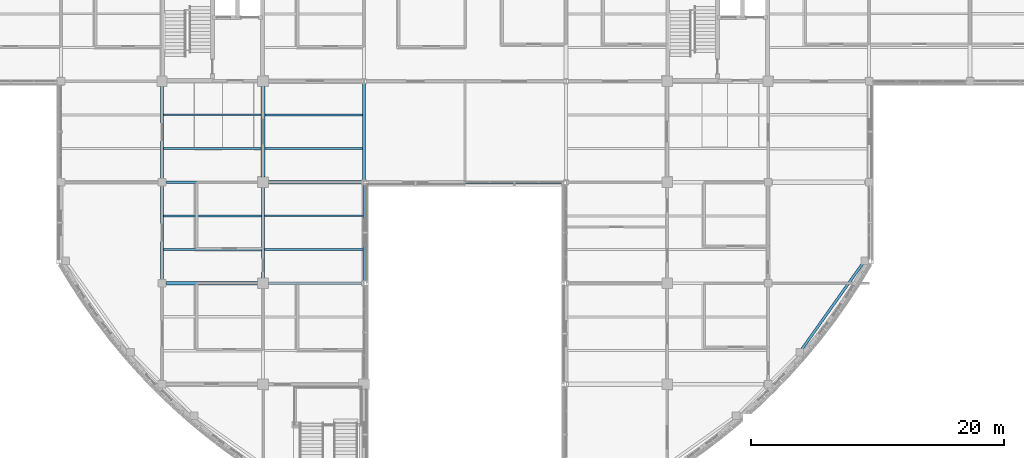
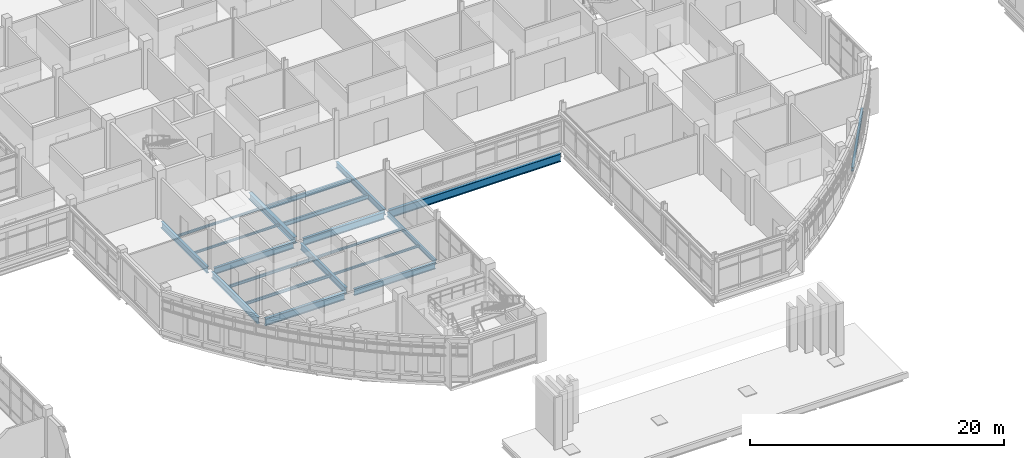
# One storey, part 25 of 121: 20 beams.
"""IFC4 building model written with IfcOpenShell, lengths in metres."""

from ifc_helpers import new_model, si_unit, derived_unit, direction, frame, origin, origin_2d, place, context, subcontext, project, spatial, i_section, extrude, material, material_profile, profile_set, type_object, element, save


model = new_model("IFC4")

# Units and contexts
model_context = context("Model", 3, precision=1e-05, world=origin(), true_north=direction((0.0, 1.0)))
body_context = subcontext(model_context, "Body", "Model", "MODEL_VIEW")
ifc_project = project(units=[si_unit("LENGTHUNIT", "METRE"), si_unit("AREAUNIT", "SQUARE_METRE"), si_unit("VOLUMEUNIT", "CUBIC_METRE"), si_unit("PLANEANGLEUNIT", "RADIAN"), si_unit("MASSUNIT", "GRAM", prefix="KILO"), derived_unit("THERMALTRANSMITTANCEUNIT", [(si_unit("MASSUNIT", "GRAM", prefix="KILO"), 1), (si_unit("TIMEUNIT", "SECOND"), -3), (si_unit("THERMODYNAMICTEMPERATUREUNIT", "KELVIN"), -1)])], contexts=[model_context])

# Site, building, storey
site_placement = place(None, origin())
site = spatial("IfcSite", under=ifc_project, at=site_placement, CompositionType="ELEMENT")
building_placement = place(site_placement, origin())
building = spatial("IfcBuilding", under=site, at=building_placement, Name="Veyamyaing Civic Hall", CompositionType="ELEMENT")
storey_placement = place(building_placement, frame((0.0, 0.0, 5.280029296875)))
storey = spatial("IfcBuildingStorey", under=building, at=storey_placement, Name="L01", CompositionType="ELEMENT", Elevation=5.280029296875)

# Beams
ifc_material = material(Name="Steel ASTM A992", Category="steel")
ifc_material_profile_1 = material_profile(ifc_material, i_section(OverallWidth=0.256103515625, OverallDepth=0.693115234375, WebThickness=0.014404296875, FlangeThickness=0.023681640625, FilletRadius=0.013916015625, at=origin_2d()), Name="W690X170")
ifc_profile_set_1 = profile_set([ifc_material_profile_1], Name="Steel ASTM A992")
beam_type_1 = type_object("IfcBeamType", Name="B-04", PredefinedType="BEAM", material=ifc_profile_set_1)
beam_1_placement = place(storey_placement, frame((64.35009765625, 32.0, -0.591552734375), z_axis=(1.0, 0.0, 0.0), x_axis=(0.0, 1.0, 0.0)))
element("IfcBeam", 1, at=beam_1_placement, inside=storey, type_object=beam_type_1, Name="Girder B-04 L01 Grid E 9-10", PredefinedType="BEAM", context=body_context, shape_type="SweptSolid", body=[
    extrude(i_section(OverallWidth=0.256103515625, OverallDepth=0.693115234375, WebThickness=0.014404296875, FlangeThickness=0.023681640625, FilletRadius=0.013916015625, at=origin_2d()), origin(), (0.0, 0.0, 1.0), 7.224853515625),
])
ifc_material_profile_2 = material_profile(ifc_material, i_section(OverallWidth=0.22998046875, OverallDepth=0.616943359375, WebThickness=0.01318359375, FlangeThickness=0.022216796875, FilletRadius=0.012939453125, at=origin_2d()), Name="W610X140")
ifc_profile_set_2 = profile_set([ifc_material_profile_2], Name="Steel ASTM A992")
beam_type_2 = type_object("IfcBeamType", Name="B-05", PredefinedType="BEAM", material=ifc_profile_set_2)
beam_2_placement = place(storey_placement, frame((72.425048828125, 32.0, -0.553466796875), z_axis=(1.0, 0.0, 0.0), x_axis=(0.0, 1.0, 0.0)))
element("IfcBeam", 2, at=beam_2_placement, inside=storey, type_object=beam_type_2, Name="Girder B-05 L01 Grid E 10-11", PredefinedType="BEAM", context=body_context, shape_type="SweptSolid", body=[
    extrude(i_section(OverallWidth=0.22998046875, OverallDepth=0.616943359375, WebThickness=0.01318359375, FlangeThickness=0.022216796875, FilletRadius=0.012939453125, at=origin_2d()), origin(), (0.0, 0.0, 1.0), 7.3759765625),
])
beam_3_placement = place(storey_placement, frame((64.35009765625, 40.0, -0.553466796875), z_axis=(1.0, 0.0, 0.0), x_axis=(0.0, 1.0, 0.0)))
element("IfcBeam", 3, at=beam_3_placement, inside=storey, type_object=beam_type_2, Name="Girder B-05 L01 Grid F 9-10", PredefinedType="BEAM", context=body_context, shape_type="SweptSolid", body=[
    extrude(i_section(OverallWidth=0.22998046875, OverallDepth=0.616943359375, WebThickness=0.01318359375, FlangeThickness=0.022216796875, FilletRadius=0.012939453125, at=origin_2d()), origin(), (0.0, 0.0, 1.0), 7.224853515625),
])
beam_4_placement = place(storey_placement, frame((64.0, 32.35009765625, -0.553466796875), z_axis=(0.0, 1.0, 0.0), x_axis=(-1.0, 0.0, 0.0)))
element("IfcBeam", 4, at=beam_4_placement, inside=storey, type_object=beam_type_2, Name="Girder B-05 L01 Grid 9 E-F", PredefinedType="BEAM", context=body_context, shape_type="SweptSolid", body=[
    extrude(i_section(OverallWidth=0.22998046875, OverallDepth=0.616943359375, WebThickness=0.01318359375, FlangeThickness=0.022216796875, FilletRadius=0.012939453125, at=origin_2d()), origin(), (0.0, 0.0, 1.0), 7.2998046875),
])
ifc_material_profile_3 = material_profile(ifc_material, i_section(OverallWidth=0.22802734375, OverallDepth=0.60791015625, WebThickness=0.01123046875, FlangeThickness=0.017333984375, FilletRadius=0.012939453125, at=origin_2d()), Name="W610X113")
ifc_profile_set_3 = profile_set([ifc_material_profile_3], Name="Steel ASTM A992")
beam_type_3 = type_object("IfcBeamType", Name="B-06", PredefinedType="BEAM", material=ifc_profile_set_3)
beam_5_placement = place(storey_placement, frame((64.0, 40.35009765625, -0.549072265625), z_axis=(0.0, 1.0, 0.0), x_axis=(-1.0, 0.0, 0.0)))
element("IfcBeam", 5, at=beam_5_placement, inside=storey, type_object=beam_type_3, Name="Girder B-06 L01 Grid 9 F-G", PredefinedType="BEAM", context=body_context, shape_type="SweptSolid", body=[
    extrude(i_section(OverallWidth=0.22802734375, OverallDepth=0.60791015625, WebThickness=0.01123046875, FlangeThickness=0.017333984375, FilletRadius=0.012939453125, at=origin_2d()), origin(), (0.0, 0.0, 1.0), 7.25),
])
beam_6_placement = place(storey_placement, frame((72.0, 32.425048828125, -0.549072265625), z_axis=(0.0, 1.0, 0.0), x_axis=(-1.0, 0.0, 0.0)))
element("IfcBeam", 6, at=beam_6_placement, inside=storey, type_object=beam_type_3, Name="Girder B-06 L01 Grid 10 E-F", PredefinedType="BEAM", context=body_context, shape_type="SweptSolid", body=[
    extrude(i_section(OverallWidth=0.22802734375, OverallDepth=0.60791015625, WebThickness=0.01123046875, FlangeThickness=0.017333984375, FilletRadius=0.012939453125, at=origin_2d()), origin(), (0.0, 0.0, 1.0), 7.14990234375),
])
ifc_material_profile_4 = material_profile(ifc_material, i_section(OverallWidth=0.179931640625, OverallDepth=0.4130859375, WebThickness=0.009765625, FlangeThickness=0.01611328125, FilletRadius=0.010009765625, at=origin_2d()), Name="W410X74")
ifc_profile_set_4 = profile_set([ifc_material_profile_4], Name="Steel ASTM A992")
beam_type_4 = type_object("IfcBeamType", Name="B-10", PredefinedType="SPANDREL", material=ifc_profile_set_4)
beam_7_placement = place(storey_placement, frame((80.0, 32.193603515625, -0.451416015625), z_axis=(0.0, 1.0, 0.0), x_axis=(-1.0, 0.0, 0.0)))
element("IfcBeam", 7, at=beam_7_placement, inside=storey, type_object=beam_type_4, Name="Girder B-10 L01 Grid 11 E-F", PredefinedType="SPANDREL", context=body_context, shape_type="SweptSolid", body=[
    extrude(i_section(OverallWidth=0.179931640625, OverallDepth=0.4130859375, WebThickness=0.009765625, FlangeThickness=0.01611328125, FilletRadius=0.010009765625, at=origin_2d()), origin(), (0.0, 0.0, 1.0), 7.61279296875),
])
ifc_material_profile_5 = material_profile(ifc_material, i_section(OverallWidth=0.2041015625, OverallDepth=0.35009765625, WebThickness=0.0078125, FlangeThickness=0.01513671875, FilletRadius=0.010009765625, at=origin_2d()), Name="W360X72")
ifc_profile_set_5 = profile_set([ifc_material_profile_5], Name="Steel ASTM A992")
beam_type_5 = type_object("IfcBeamType", Name="B-11", PredefinedType="SPANDREL", material=ifc_profile_set_5)
beam_8_placement = place(storey_placement, frame((114.668701171875, 26.778076171875, -0.419921875), z_axis=(0.578662285773, 0.815567262109, 0.0), x_axis=(-0.815567262109, 0.578662285773, 0.0)))
element("IfcBeam", 8, at=beam_8_placement, inside=storey, type_object=beam_type_5, Name="Curved corner spandrel B-11 L01 SE.3", PredefinedType="SPANDREL", context=body_context, shape_type="SweptSolid", body=[
    extrude(i_section(OverallWidth=0.2041015625, OverallDepth=0.35009765625, WebThickness=0.0078125, FlangeThickness=0.01513671875, FilletRadius=0.010009765625, at=origin_2d()), origin(), (0.0, 0.0, 1.0), 8.284423828125),
])
ifc_material_profile_6 = material_profile(ifc_material, i_section(OverallWidth=0.26611328125, OverallDepth=0.758056640625, WebThickness=0.013916015625, FlangeThickness=0.019287109375, FilletRadius=0.01611328125, at=origin_2d()), Name="W760X161")
ifc_profile_set_6 = profile_set([ifc_material_profile_6], Name="Steel ASTM A992")
beam_type_6 = type_object("IfcBeamType", Name="B-13", PredefinedType="BEAM", material=ifc_profile_set_6)
beam_9_placement = place(storey_placement, frame((80.198974609375, 40.0, -0.6240234375), z_axis=(1.0, 0.0, 0.0), x_axis=(0.0, 1.0, 0.0)))
element("IfcBeam", 9, at=beam_9_placement, inside=storey, type_object=beam_type_6, Name="Girder B-13 L01 Grid F 11-13", PredefinedType="BEAM", context=body_context, shape_type="SweptSolid", body=[
    extrude(i_section(OverallWidth=0.26611328125, OverallDepth=0.758056640625, WebThickness=0.013916015625, FlangeThickness=0.019287109375, FilletRadius=0.01611328125, at=origin_2d()), origin(), (0.0, 0.0, 1.0), 15.60205078125),
])
ifc_material_profile_7 = material_profile(ifc_material, i_section(OverallWidth=0.25390625, OverallDepth=0.68408203125, WebThickness=0.012451171875, FlangeThickness=0.01904296875, FilletRadius=0.013916015625, at=origin_2d()), Name="W690X140")
ifc_profile_set_7 = profile_set([ifc_material_profile_7], Name="Steel ASTM A992")
beam_type_7 = type_object("IfcBeamType", Name="B-14", PredefinedType="BEAM", material=ifc_profile_set_7)
beam_10_placement = place(storey_placement, frame((72.425048828125, 40.0, -0.5869140625), z_axis=(1.0, 0.0, 0.0), x_axis=(0.0, 1.0, 0.0)))
element("IfcBeam", 10, at=beam_10_placement, inside=storey, type_object=beam_type_7, Name="Girder B-14 L01 Grid F 10-11", PredefinedType="BEAM", context=body_context, shape_type="SweptSolid", body=[
    extrude(i_section(OverallWidth=0.25390625, OverallDepth=0.68408203125, WebThickness=0.012451171875, FlangeThickness=0.01904296875, FilletRadius=0.013916015625, at=origin_2d()), origin(), (0.0, 0.0, 1.0), 7.3759765625),
])
ifc_material_profile_8 = material_profile(ifc_material, i_section(OverallWidth=0.324951171875, OverallDepth=0.615966796875, WebThickness=0.013916015625, FlangeThickness=0.021484375, FilletRadius=0.013916015625, at=origin_2d()), Name="W610X174")
ifc_profile_set_8 = profile_set([ifc_material_profile_8], Name="Steel ASTM A992")
beam_type_8 = type_object("IfcBeamType", Name="B-15", PredefinedType="BEAM", material=ifc_profile_set_8)
beam_11_placement = place(storey_placement, frame((72.0, 40.425048828125, -0.552978515625), z_axis=(0.0, 1.0, 0.0), x_axis=(-1.0, 0.0, 0.0)))
element("IfcBeam", 11, at=beam_11_placement, inside=storey, type_object=beam_type_8, Name="Girder B-15 L01 Grid 10 F-G", PredefinedType="BEAM", context=body_context, shape_type="SweptSolid", body=[
    extrude(i_section(OverallWidth=0.324951171875, OverallDepth=0.615966796875, WebThickness=0.013916015625, FlangeThickness=0.021484375, FilletRadius=0.013916015625, at=origin_2d()), origin(), (0.0, 0.0, 1.0), 7.14990234375),
])
ifc_material_profile_9 = material_profile(ifc_material, i_section(OverallWidth=0.214111328125, OverallDepth=0.549072265625, WebThickness=0.0146484375, FlangeThickness=0.023681640625, FilletRadius=0.011962890625, at=origin_2d()), Name="W530X138")
ifc_profile_set_9 = profile_set([ifc_material_profile_9], Name="Steel ASTM A992")
beam_type_9 = type_object("IfcBeamType", Name="B-16", PredefinedType="BEAM", material=ifc_profile_set_9)
beam_12_placement = place(storey_placement, frame((80.0, 40.193603515625, -0.51953125), z_axis=(0.0, 1.0, 0.0), x_axis=(-1.0, 0.0, 0.0)))
element("IfcBeam", 12, at=beam_12_placement, inside=storey, type_object=beam_type_9, Name="Girder B-16 L01 Grid 11 F-G", PredefinedType="BEAM", context=body_context, shape_type="SweptSolid", body=[
    extrude(i_section(OverallWidth=0.214111328125, OverallDepth=0.549072265625, WebThickness=0.0146484375, FlangeThickness=0.023681640625, FilletRadius=0.011962890625, at=origin_2d()), origin(), (0.0, 0.0, 1.0), 7.61279296875),
])
ifc_material_profile_10 = material_profile(ifc_material, i_section(OverallWidth=0.177978515625, OverallDepth=0.406982421875, WebThickness=0.0078125, FlangeThickness=0.0126953125, FilletRadius=0.010009765625, at=origin_2d()), Name="W410X60")
ifc_profile_set_10 = profile_set([ifc_material_profile_10], Name="Steel ASTM A992")
beam_type_10 = type_object("IfcBeamType", Name="J-01", PredefinedType="JOIST", material=ifc_profile_set_10)
for number, where, z_axis, x_axis, name in (
    (13, (72.160400390625, 42.666748046875, -0.448486328125), (1.0, 0.0, 0.0), (0.0, 1.0, 0.0), "Composite floor joist J-01 L01 10.6.1"),
    (14, (72.160400390625, 45.333251953125, -0.448486328125), (1.0, 0.0, 0.0), (0.0, 1.0, 0.0), "Composite floor joist J-01 L01 10.6.2"),
):
    element("IfcBeam", number, at=place(storey_placement, frame(where, z_axis=z_axis, x_axis=x_axis)), inside=storey, type_object=beam_type_10, Name=name, PredefinedType="JOIST", context=body_context, shape_type="SweptSolid", body=[
        extrude(i_section(OverallWidth=0.177978515625, OverallDepth=0.406982421875, WebThickness=0.0078125, FlangeThickness=0.0126953125, FilletRadius=0.010009765625, at=origin_2d()), origin(), (0.0, 0.0, 1.0), 7.734619140625),
    ])
ifc_material_profile_11 = material_profile(ifc_material, i_section(OverallWidth=0.14794921875, OverallDepth=0.26611328125, WebThickness=0.007568359375, FlangeThickness=0.012939453125, FilletRadius=0.010009765625, at=origin_2d()), Name="W250X45")
ifc_profile_set_11 = profile_set([ifc_material_profile_11], Name="Steel ASTM A992")
beam_type_11 = type_object("IfcBeamType", Name="J-07", PredefinedType="JOIST", material=ifc_profile_set_11)
for number, where, z_axis, x_axis, name in (
    (15, (64.113037109375, 34.666748046875, -0.3779296875), (1.0, 0.0, 0.0), (0.0, 1.0, 0.0), "Composite floor joist J-07 L01 9.5.1"),
    (16, (64.113037109375, 37.333251953125, -0.3779296875), (1.0, 0.0, 0.0), (0.0, 1.0, 0.0), "Composite floor joist J-07 L01 9.5.2"),
):
    element("IfcBeam", number, at=place(storey_placement, frame(where, z_axis=z_axis, x_axis=x_axis)), inside=storey, type_object=beam_type_11, Name=name, PredefinedType="JOIST", context=body_context, shape_type="SweptSolid", body=[
        extrude(i_section(OverallWidth=0.14794921875, OverallDepth=0.26611328125, WebThickness=0.007568359375, FlangeThickness=0.012939453125, FilletRadius=0.010009765625, at=origin_2d()), origin(), (0.0, 0.0, 1.0), 7.77490234375),
    ])
ifc_material_profile_12 = material_profile(ifc_material, i_section(OverallWidth=0.133056640625, OverallDepth=0.20703125, WebThickness=0.005859375, FlangeThickness=0.00830078125, FilletRadius=0.010009765625, at=origin_2d()), Name="W200X27")
ifc_profile_set_12 = profile_set([ifc_material_profile_12], Name="Steel ASTM A992")
beam_type_12 = type_object("IfcBeamType", Name="J-08", PredefinedType="JOIST", material=ifc_profile_set_12)
for number, where, z_axis, x_axis, name in (
    (17, (64.112060546875, 42.666748046875, -0.3486328125), (1.0, 0.0, 0.0), (0.0, 1.0, 0.0), "Composite floor joist J-08 L01 9.6.1"),
    (18, (64.112060546875, 45.333251953125, -0.3486328125), (1.0, 0.0, 0.0), (0.0, 1.0, 0.0), "Composite floor joist J-08 L01 9.6.2"),
):
    element("IfcBeam", number, at=place(storey_placement, frame(where, z_axis=z_axis, x_axis=x_axis)), inside=storey, type_object=beam_type_12, Name=name, PredefinedType="JOIST", context=body_context, shape_type="SweptSolid", body=[
        extrude(i_section(OverallWidth=0.133056640625, OverallDepth=0.20703125, WebThickness=0.005859375, FlangeThickness=0.00830078125, FilletRadius=0.010009765625, at=origin_2d()), origin(), (0.0, 0.0, 1.0), 7.7275390625),
    ])
for number, where, z_axis, x_axis, name in (
    (19, (72.112060546875, 34.666748046875, -0.3486328125), (1.0, 0.0, 0.0), (0.0, 1.0, 0.0), "Composite floor joist J-08 L01 10.5.1"),
    (20, (72.112060546875, 37.333251953125, -0.3486328125), (1.0, 0.0, 0.0), (0.0, 1.0, 0.0), "Composite floor joist J-08 L01 10.5.2"),
):
    element("IfcBeam", number, at=place(storey_placement, frame(where, z_axis=z_axis, x_axis=x_axis)), inside=storey, type_object=beam_type_12, Name=name, PredefinedType="JOIST", context=body_context, shape_type="SweptSolid", body=[
        extrude(i_section(OverallWidth=0.133056640625, OverallDepth=0.20703125, WebThickness=0.005859375, FlangeThickness=0.00830078125, FilletRadius=0.010009765625, at=origin_2d()), origin(), (0.0, 0.0, 1.0), 7.800048828125),
    ])

save(model, "model.ifc")
